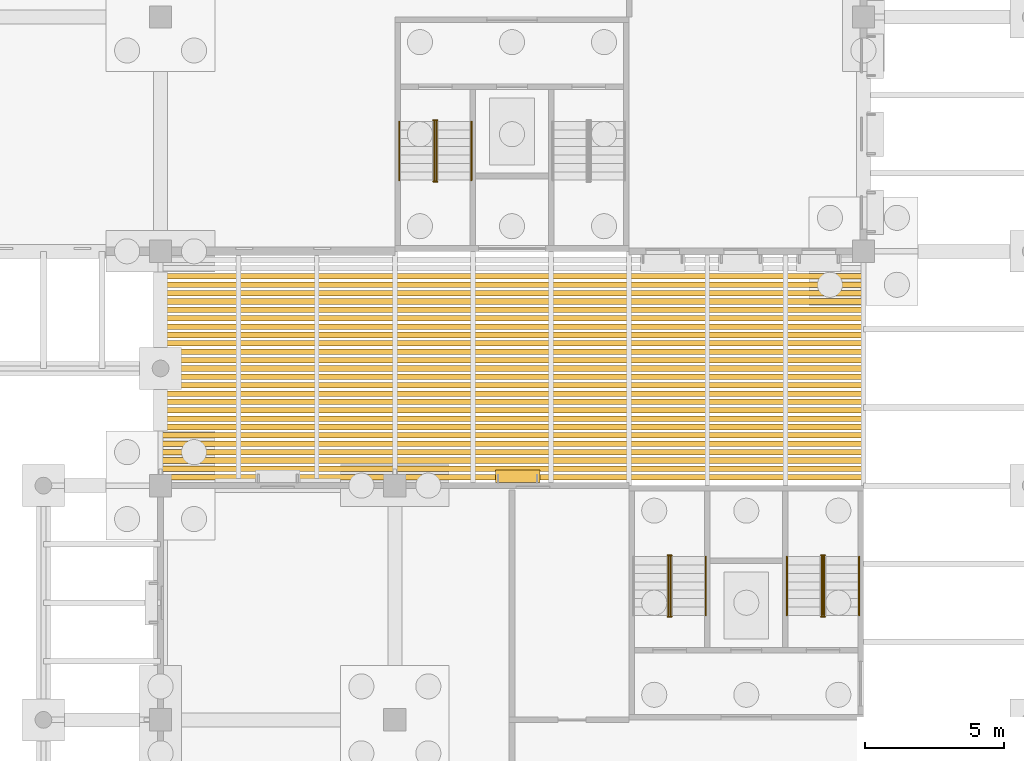
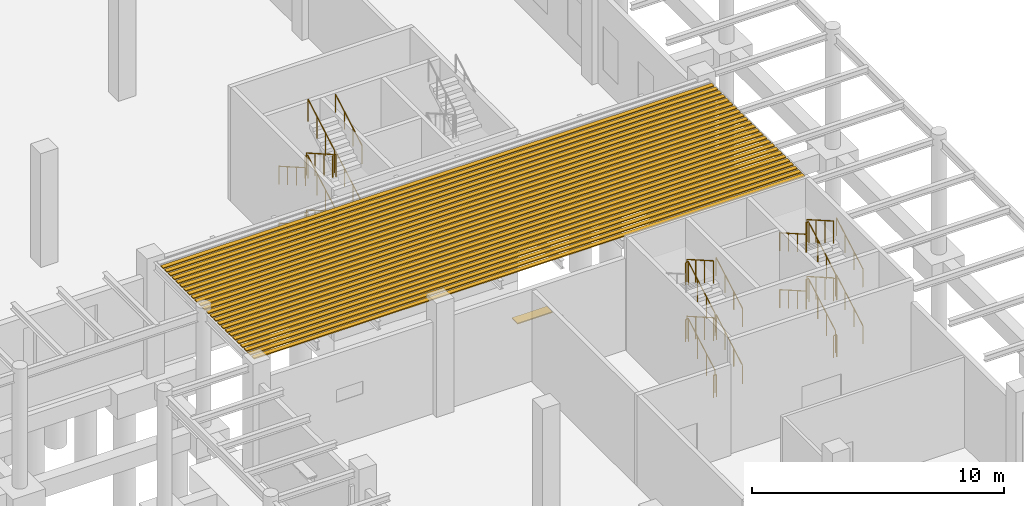
# One storey, part 77 of 82: 34 railings, 26 shading devices.
"""IFC4 building model written with IfcOpenShell, lengths in metres."""

from ifc_helpers import new_model, si_unit, direction, frame, origin, origin_2d, place, context, subcontext, project, spatial, rectangle, circle, extrude, material, material_profile, profile_set, type_object, element, save


model = new_model("IFC4")

# Units and contexts
model_context = context("Model", 3, precision=1e-05, world=origin(), true_north=direction((0.0, 1.0)))
body_context = subcontext(model_context, "Body", "Model", "MODEL_VIEW")
ifc_project = project(units=[si_unit("LENGTHUNIT", "METRE"), si_unit("AREAUNIT", "SQUARE_METRE"), si_unit("VOLUMEUNIT", "CUBIC_METRE"), si_unit("PLANEANGLEUNIT", "RADIAN"), si_unit("MASSUNIT", "GRAM", prefix="KILO")], contexts=[model_context])

# Site, building, storey
site_placement = place(None, origin())
site = spatial("IfcSite", under=ifc_project, at=site_placement, CompositionType="ELEMENT")
building_placement = place(site_placement, origin())
building = spatial("IfcBuilding", under=site, at=building_placement, Name="Almond Square Museum", CompositionType="ELEMENT")
storey_placement = place(building_placement, origin())
storey = spatial("IfcBuildingStorey", under=building, at=storey_placement, Name="L00", CompositionType="ELEMENT", Elevation=0.0)

# Shading devices
ifc_material_1 = material(Name="Anodised aluminium", Category="aluminium")
ifc_material_profile_1 = material_profile(ifc_material_1, rectangle(XDim=0.199951171875, YDim=0.050048828125, at=origin_2d()))
ifc_profile_set_1 = profile_set([ifc_material_profile_1], Name="Anodised aluminium")
shading_device_type_1 = type_object("IfcShadingDeviceType", Name="Canopy louvre blade 200 x 50", PredefinedType="USERDEFINED", material=ifc_profile_set_1)
for number, where, z_axis, x_axis, name in (
    (1, (132.0, 42.300048828125, 5.27490234375), (1.0, 0.0, 0.0), (0.0, 1.0, 0.0), "Passage canopy louvre 1"),
    (2, (132.0, 42.60009765625, 5.27490234375), (1.0, 0.0, 0.0), (0.0, 1.0, 0.0), "Passage canopy louvre 2"),
    (3, (132.0, 42.89990234375, 5.27490234375), (1.0, 0.0, 0.0), (0.0, 1.0, 0.0), "Passage canopy louvre 3"),
    (4, (132.0, 43.199951171875, 5.27490234375), (1.0, 0.0, 0.0), (0.0, 1.0, 0.0), "Passage canopy louvre 4"),
    (5, (132.0, 43.5, 5.27490234375), (1.0, 0.0, 0.0), (0.0, 1.0, 0.0), "Passage canopy louvre 5"),
    (6, (132.0, 43.800048828125, 5.27490234375), (1.0, 0.0, 0.0), (0.0, 1.0, 0.0), "Passage canopy louvre 6"),
    (7, (132.0, 44.10009765625, 5.27490234375), (1.0, 0.0, 0.0), (0.0, 1.0, 0.0), "Passage canopy louvre 7"),
    (8, (132.0, 44.39990234375, 5.27490234375), (1.0, 0.0, 0.0), (0.0, 1.0, 0.0), "Passage canopy louvre 8"),
    (9, (132.0, 44.699951171875, 5.27490234375), (1.0, 0.0, 0.0), (0.0, 1.0, 0.0), "Passage canopy louvre 9"),
    (10, (132.0, 45.0, 5.27490234375), (1.0, 0.0, 0.0), (0.0, 1.0, 0.0), "Passage canopy louvre 10"),
    (11, (132.0, 45.300048828125, 5.27490234375), (1.0, 0.0, 0.0), (0.0, 1.0, 0.0), "Passage canopy louvre 11"),
    (12, (132.0, 45.60009765625, 5.27490234375), (1.0, 0.0, 0.0), (0.0, 1.0, 0.0), "Passage canopy louvre 12"),
    (13, (132.0, 45.89990234375, 5.27490234375), (1.0, 0.0, 0.0), (0.0, 1.0, 0.0), "Passage canopy louvre 13"),
    (14, (132.0, 46.199951171875, 5.27490234375), (1.0, 0.0, 0.0), (0.0, 1.0, 0.0), "Passage canopy louvre 14"),
    (15, (132.0, 46.5, 5.27490234375), (1.0, 0.0, 0.0), (0.0, 1.0, 0.0), "Passage canopy louvre 15"),
    (16, (132.0, 46.800048828125, 5.27490234375), (1.0, 0.0, 0.0), (0.0, 1.0, 0.0), "Passage canopy louvre 16"),
    (17, (132.0, 47.10009765625, 5.27490234375), (1.0, 0.0, 0.0), (0.0, 1.0, 0.0), "Passage canopy louvre 17"),
    (18, (132.0, 47.39990234375, 5.27490234375), (1.0, 0.0, 0.0), (0.0, 1.0, 0.0), "Passage canopy louvre 18"),
    (19, (132.0, 47.699951171875, 5.27490234375), (1.0, 0.0, 0.0), (0.0, 1.0, 0.0), "Passage canopy louvre 19"),
    (20, (132.0, 48.0, 5.27490234375), (1.0, 0.0, 0.0), (0.0, 1.0, 0.0), "Passage canopy louvre 20"),
    (21, (132.0, 48.300048828125, 5.27490234375), (1.0, 0.0, 0.0), (0.0, 1.0, 0.0), "Passage canopy louvre 21"),
    (22, (132.0, 48.60009765625, 5.27490234375), (1.0, 0.0, 0.0), (0.0, 1.0, 0.0), "Passage canopy louvre 22"),
    (23, (132.0, 48.89990234375, 5.27490234375), (1.0, 0.0, 0.0), (0.0, 1.0, 0.0), "Passage canopy louvre 23"),
    (24, (132.0, 49.199951171875, 5.27490234375), (1.0, 0.0, 0.0), (0.0, 1.0, 0.0), "Passage canopy louvre 24"),
    (25, (132.0, 49.5, 5.27490234375), (1.0, 0.0, 0.0), (0.0, 1.0, 0.0), "Passage canopy louvre 25"),
):
    element("IfcShadingDevice", number, at=place(storey_placement, frame(where, z_axis=z_axis, x_axis=x_axis)), inside=storey, type_object=shading_device_type_1, Name=name, ObjectType="LOUVRE", PredefinedType="USERDEFINED", context=body_context, shape_type="SweptSolid", body=[
        extrude(rectangle(XDim=0.199951171875, YDim=0.050048828125, at=origin_2d()), origin(), (0.0, 0.0, 1.0), 25.199951171875),
    ])

# Railings
ifc_material_2 = material(Name="Stainless steel and laminated glass", Category="steel")
railing_type_1 = type_object("IfcRailingType", Name="Stair guard 1100 steel and glass", PredefinedType="GUARDRAIL", material=ifc_material_2)
railing_1_placement = place(storey_placement, frame((141.81005859375, 55.050048828125, 0.171875)))
element("IfcRailing", 26, at=railing_1_placement, inside=storey, type_object=railing_type_1, Name="L00 ST-03 stair guard 1", PredefinedType="GUARDRAIL", context=body_context, shape_type="SweptSolid", body=[
    extrude(circle(Radius=0.02392578125, at=origin_2d()), frame((0.0, 0.0, 1.076171875), z_axis=(0.0, -0.867696358075, 0.497094588769), x_axis=(1.0, 0.0, 0.0)), (0.0, 0.0, 1.0), 2.42041015625),
    extrude(circle(Radius=0.02099609375, at=origin_2d()), origin(), (0.0, 0.0, 1.0), 1.052001953125),
    extrude(circle(Radius=0.02099609375, at=origin_2d()), frame((0.0, -0.699951171875, 0.401123046875)), (0.0, 0.0, 1.0), 1.052001953125),
    extrude(circle(Radius=0.02099609375, at=origin_2d()), frame((0.0, -1.400146484375, 0.802001953125)), (0.0, 0.0, 1.0), 1.052001953125),
    extrude(circle(Radius=0.02099609375, at=origin_2d()), frame((0.0, -2.10009765625, 1.203125)), (0.0, 0.0, 1.0), 1.052001953125),
])
railing_2_placement = place(storey_placement, frame((141.780029296875, 52.89990234375, 1.375)))
element("IfcRailing", 27, at=railing_2_placement, inside=storey, type_object=railing_type_1, Name="L00 ST-03 stair guard 2", PredefinedType="GUARDRAIL", context=body_context, shape_type="SweptSolid", body=[
    extrude(circle(Radius=0.02392578125, at=origin_2d()), frame((0.0, 0.0, 1.076171875), z_axis=(1.0, 0.0, 0.0), x_axis=(0.0, 1.0, 0.0)), (0.0, 0.0, 1.0), 0.139892578125),
    extrude(circle(Radius=0.02099609375, at=origin_2d()), origin(), (0.0, 0.0, 1.0), 1.052001953125),
    extrude(circle(Radius=0.02099609375, at=origin_2d()), frame((0.139892578125, 0.0, 0.0)), (0.0, 0.0, 1.0), 1.052001953125),
])
railing_3_placement = place(storey_placement, frame((141.889892578125, 52.949951171875, 1.546875)))
element("IfcRailing", 28, at=railing_3_placement, inside=storey, type_object=railing_type_1, Name="L00 ST-03 stair guard 3", PredefinedType="GUARDRAIL", context=body_context, shape_type="SweptSolid", body=[
    extrude(circle(Radius=0.02392578125, at=origin_2d()), frame((0.0, 0.0, 1.076171875), z_axis=(0.0, 0.867696358075, 0.497094588769), x_axis=(-1.0, 0.0, 0.0)), (0.0, 0.0, 1.0), 2.42041015625),
    extrude(circle(Radius=0.02099609375, at=origin_2d()), origin(), (0.0, 0.0, 1.0), 1.052001953125),
    extrude(circle(Radius=0.02099609375, at=origin_2d()), frame((0.0, 0.699951171875, 0.401123046875)), (0.0, 0.0, 1.0), 1.052001953125),
    extrude(circle(Radius=0.02099609375, at=origin_2d()), frame((0.0, 1.400146484375, 0.802001953125)), (0.0, 0.0, 1.0), 1.052001953125),
    extrude(circle(Radius=0.02099609375, at=origin_2d()), frame((0.0, 2.10009765625, 1.203125)), (0.0, 0.0, 1.0), 1.052001953125),
])
railing_4_placement = place(storey_placement, frame((141.780029296875, 55.10009765625, 2.75)))
element("IfcRailing", 29, at=railing_4_placement, inside=storey, type_object=railing_type_1, Name="L00 ST-03 stair guard 4", PredefinedType="GUARDRAIL", context=body_context, shape_type="SweptSolid", body=[
    extrude(circle(Radius=0.02392578125, at=origin_2d()), frame((0.0, 0.0, 1.076171875), z_axis=(1.0, 0.0, 0.0), x_axis=(0.0, 1.0, 0.0)), (0.0, 0.0, 1.0), 0.139892578125),
    extrude(circle(Radius=0.02099609375, at=origin_2d()), origin(), (0.0, 0.0, 1.0), 1.052001953125),
    extrude(circle(Radius=0.02099609375, at=origin_2d()), frame((0.139892578125, 0.0, 0.0)), (0.0, 0.0, 1.0), 1.052001953125),
])
railing_5_placement = place(storey_placement, frame((141.81005859375, 55.050048828125, 2.921875)))
element("IfcRailing", 30, at=railing_5_placement, inside=storey, type_object=railing_type_1, Name="L00 ST-03 stair guard 5", PredefinedType="GUARDRAIL", context=body_context, shape_type="SweptSolid", body=[
    extrude(circle(Radius=0.02392578125, at=origin_2d()), frame((0.0, 0.0, 1.076171875), z_axis=(0.0, -0.867696358075, 0.497094588769), x_axis=(1.0, 0.0, 0.0)), (0.0, 0.0, 1.0), 2.42041015625),
    extrude(circle(Radius=0.02099609375, at=origin_2d()), origin(), (0.0, 0.0, 1.0), 1.052001953125),
    extrude(circle(Radius=0.02099609375, at=origin_2d()), frame((0.0, -0.699951171875, 0.401123046875)), (0.0, 0.0, 1.0), 1.052001953125),
    extrude(circle(Radius=0.02099609375, at=origin_2d()), frame((0.0, -1.400146484375, 0.802001953125)), (0.0, 0.0, 1.0), 1.052001953125),
    extrude(circle(Radius=0.02099609375, at=origin_2d()), frame((0.0, -2.10009765625, 1.203125)), (0.0, 0.0, 1.0), 1.052001953125),
])
railing_6_placement = place(storey_placement, frame((141.780029296875, 52.89990234375, 4.125)))
element("IfcRailing", 31, at=railing_6_placement, inside=storey, type_object=railing_type_1, Name="L00 ST-03 stair guard 6", PredefinedType="GUARDRAIL", context=body_context, shape_type="SweptSolid", body=[
    extrude(circle(Radius=0.02392578125, at=origin_2d()), frame((0.0, 0.0, 1.076171875), z_axis=(1.0, 0.0, 0.0), x_axis=(0.0, 1.0, 0.0)), (0.0, 0.0, 1.0), 0.139892578125),
    extrude(circle(Radius=0.02099609375, at=origin_2d()), origin(), (0.0, 0.0, 1.0), 1.052001953125),
    extrude(circle(Radius=0.02099609375, at=origin_2d()), frame((0.139892578125, 0.0, 0.0)), (0.0, 0.0, 1.0), 1.052001953125),
])
railing_7_placement = place(storey_placement, frame((141.889892578125, 52.949951171875, 4.296875)))
element("IfcRailing", 32, at=railing_7_placement, inside=storey, type_object=railing_type_1, Name="L00 ST-03 stair guard 7", PredefinedType="GUARDRAIL", context=body_context, shape_type="SweptSolid", body=[
    extrude(circle(Radius=0.02392578125, at=origin_2d()), frame((0.0, 0.0, 1.076171875), z_axis=(0.0, 0.867696358075, 0.497094588769), x_axis=(-1.0, 0.0, 0.0)), (0.0, 0.0, 1.0), 2.42041015625),
    extrude(circle(Radius=0.02099609375, at=origin_2d()), origin(), (0.0, 0.0, 1.0), 1.052001953125),
    extrude(circle(Radius=0.02099609375, at=origin_2d()), frame((0.0, 0.699951171875, 0.401123046875)), (0.0, 0.0, 1.0), 1.052001953125),
    extrude(circle(Radius=0.02099609375, at=origin_2d()), frame((0.0, 1.400146484375, 0.802001953125)), (0.0, 0.0, 1.0), 1.052001953125),
    extrude(circle(Radius=0.02099609375, at=origin_2d()), frame((0.0, 2.10009765625, 1.203125)), (0.0, 0.0, 1.0), 1.052001953125),
])
railing_8_placement = place(storey_placement, frame((141.780029296875, 55.10009765625, 0.0)))
element("IfcRailing", 33, at=railing_8_placement, inside=storey, type_object=railing_type_1, Name="L00 ST-03 stair guard 8", PredefinedType="GUARDRAIL", context=body_context, shape_type="SweptSolid", body=[
    extrude(circle(Radius=0.02392578125, at=origin_2d()), frame((0.0, 0.0, 1.076171875), z_axis=(1.0, 0.0, 0.0), x_axis=(0.0, 1.0, 0.0)), (0.0, 0.0, 1.0), 0.139892578125),
    extrude(circle(Radius=0.02099609375, at=origin_2d()), origin(), (0.0, 0.0, 1.0), 1.052001953125),
    extrude(circle(Radius=0.02099609375, at=origin_2d()), frame((0.139892578125, 0.0, 0.0)), (0.0, 0.0, 1.0), 1.052001953125),
])
railing_9_placement = place(storey_placement, frame((150.2900390625, 37.35009765625, 0.171875)))
element("IfcRailing", 34, at=railing_9_placement, inside=storey, type_object=railing_type_1, Name="L00 ST-33 stair guard 1", PredefinedType="GUARDRAIL", context=body_context, shape_type="SweptSolid", body=[
    extrude(circle(Radius=0.02392578125, at=origin_2d()), frame((0.0, 0.0, 1.076171875), z_axis=(0.0, 0.867671429157, 0.497138100556), x_axis=(-1.0, 0.0, 0.0)), (0.0, 0.0, 1.0), 2.420166015625),
    extrude(circle(Radius=0.02099609375, at=origin_2d()), origin(), (0.0, 0.0, 1.0), 1.052001953125),
    extrude(circle(Radius=0.02099609375, at=origin_2d()), frame((0.0, 0.699951171875, 0.401123046875)), (0.0, 0.0, 1.0), 1.052001953125),
    extrude(circle(Radius=0.02099609375, at=origin_2d()), frame((0.0, 1.39990234375, 0.802001953125)), (0.0, 0.0, 1.0), 1.052001953125),
    extrude(circle(Radius=0.02099609375, at=origin_2d()), frame((0.0, 2.099853515625, 1.203125)), (0.0, 0.0, 1.0), 1.052001953125),
])
railing_10_placement = place(storey_placement, frame((150.320068359375, 39.5, 1.375)))
element("IfcRailing", 35, at=railing_10_placement, inside=storey, type_object=railing_type_1, Name="L00 ST-33 stair guard 2", PredefinedType="GUARDRAIL", context=body_context, shape_type="SweptSolid", body=[
    extrude(circle(Radius=0.02392578125, at=origin_2d()), frame((0.0, 0.0, 1.076171875), z_axis=(-1.0, 0.0, 0.0), x_axis=(0.0, -1.0, 0.0)), (0.0, 0.0, 1.0), 0.14013671875),
    extrude(circle(Radius=0.02099609375, at=origin_2d()), origin(), (0.0, 0.0, 1.0), 1.052001953125),
    extrude(circle(Radius=0.02099609375, at=origin_2d()), frame((-0.14013671875, 0.0, 0.0)), (0.0, 0.0, 1.0), 1.052001953125),
])
railing_11_placement = place(storey_placement, frame((150.2099609375, 39.449951171875, 1.546875)))
element("IfcRailing", 36, at=railing_11_placement, inside=storey, type_object=railing_type_1, Name="L00 ST-33 stair guard 3", PredefinedType="GUARDRAIL", context=body_context, shape_type="SweptSolid", body=[
    extrude(circle(Radius=0.02392578125, at=origin_2d()), frame((0.0, 0.0, 1.076171875), z_axis=(0.0, -0.867671429157, 0.497138100556), x_axis=(1.0, 0.0, 0.0)), (0.0, 0.0, 1.0), 2.420166015625),
    extrude(circle(Radius=0.02099609375, at=origin_2d()), origin(), (0.0, 0.0, 1.0), 1.052001953125),
    extrude(circle(Radius=0.02099609375, at=origin_2d()), frame((0.0, -0.699951171875, 0.401123046875)), (0.0, 0.0, 1.0), 1.052001953125),
    extrude(circle(Radius=0.02099609375, at=origin_2d()), frame((0.0, -1.39990234375, 0.802001953125)), (0.0, 0.0, 1.0), 1.052001953125),
    extrude(circle(Radius=0.02099609375, at=origin_2d()), frame((0.0, -2.099853515625, 1.203125)), (0.0, 0.0, 1.0), 1.052001953125),
])
railing_12_placement = place(storey_placement, frame((150.320068359375, 37.300048828125, 2.75)))
element("IfcRailing", 37, at=railing_12_placement, inside=storey, type_object=railing_type_1, Name="L00 ST-33 stair guard 4", PredefinedType="GUARDRAIL", context=body_context, shape_type="SweptSolid", body=[
    extrude(circle(Radius=0.02392578125, at=origin_2d()), frame((0.0, 0.0, 1.076171875), z_axis=(-1.0, 0.0, 0.0), x_axis=(0.0, -1.0, 0.0)), (0.0, 0.0, 1.0), 0.14013671875),
    extrude(circle(Radius=0.02099609375, at=origin_2d()), origin(), (0.0, 0.0, 1.0), 1.052001953125),
    extrude(circle(Radius=0.02099609375, at=origin_2d()), frame((-0.14013671875, 0.0, 0.0)), (0.0, 0.0, 1.0), 1.052001953125),
])
railing_13_placement = place(storey_placement, frame((150.2900390625, 37.35009765625, 2.921875)))
element("IfcRailing", 38, at=railing_13_placement, inside=storey, type_object=railing_type_1, Name="L00 ST-33 stair guard 5", PredefinedType="GUARDRAIL", context=body_context, shape_type="SweptSolid", body=[
    extrude(circle(Radius=0.02392578125, at=origin_2d()), frame((0.0, 0.0, 1.076171875), z_axis=(0.0, 0.867671429157, 0.497138100556), x_axis=(-1.0, 0.0, 0.0)), (0.0, 0.0, 1.0), 2.420166015625),
    extrude(circle(Radius=0.02099609375, at=origin_2d()), origin(), (0.0, 0.0, 1.0), 1.052001953125),
    extrude(circle(Radius=0.02099609375, at=origin_2d()), frame((0.0, 0.699951171875, 0.401123046875)), (0.0, 0.0, 1.0), 1.052001953125),
    extrude(circle(Radius=0.02099609375, at=origin_2d()), frame((0.0, 1.39990234375, 0.802001953125)), (0.0, 0.0, 1.0), 1.052001953125),
    extrude(circle(Radius=0.02099609375, at=origin_2d()), frame((0.0, 2.099853515625, 1.203125)), (0.0, 0.0, 1.0), 1.052001953125),
])
railing_14_placement = place(storey_placement, frame((150.320068359375, 39.5, 4.125)))
element("IfcRailing", 39, at=railing_14_placement, inside=storey, type_object=railing_type_1, Name="L00 ST-33 stair guard 6", PredefinedType="GUARDRAIL", context=body_context, shape_type="SweptSolid", body=[
    extrude(circle(Radius=0.02392578125, at=origin_2d()), frame((0.0, 0.0, 1.076171875), z_axis=(-1.0, 0.0, 0.0), x_axis=(0.0, -1.0, 0.0)), (0.0, 0.0, 1.0), 0.14013671875),
    extrude(circle(Radius=0.02099609375, at=origin_2d()), origin(), (0.0, 0.0, 1.0), 1.052001953125),
    extrude(circle(Radius=0.02099609375, at=origin_2d()), frame((-0.14013671875, 0.0, 0.0)), (0.0, 0.0, 1.0), 1.052001953125),
])
railing_15_placement = place(storey_placement, frame((150.2099609375, 39.449951171875, 4.296875)))
element("IfcRailing", 40, at=railing_15_placement, inside=storey, type_object=railing_type_1, Name="L00 ST-33 stair guard 7", PredefinedType="GUARDRAIL", context=body_context, shape_type="SweptSolid", body=[
    extrude(circle(Radius=0.02392578125, at=origin_2d()), frame((0.0, 0.0, 1.076171875), z_axis=(0.0, -0.867671429157, 0.497138100556), x_axis=(1.0, 0.0, 0.0)), (0.0, 0.0, 1.0), 2.420166015625),
    extrude(circle(Radius=0.02099609375, at=origin_2d()), origin(), (0.0, 0.0, 1.0), 1.052001953125),
    extrude(circle(Radius=0.02099609375, at=origin_2d()), frame((0.0, -0.699951171875, 0.401123046875)), (0.0, 0.0, 1.0), 1.052001953125),
    extrude(circle(Radius=0.02099609375, at=origin_2d()), frame((0.0, -1.39990234375, 0.802001953125)), (0.0, 0.0, 1.0), 1.052001953125),
    extrude(circle(Radius=0.02099609375, at=origin_2d()), frame((0.0, -2.099853515625, 1.203125)), (0.0, 0.0, 1.0), 1.052001953125),
])
railing_16_placement = place(storey_placement, frame((150.320068359375, 37.300048828125, 0.0)))
element("IfcRailing", 41, at=railing_16_placement, inside=storey, type_object=railing_type_1, Name="L00 ST-33 stair guard 8", PredefinedType="GUARDRAIL", context=body_context, shape_type="SweptSolid", body=[
    extrude(circle(Radius=0.02392578125, at=origin_2d()), frame((0.0, 0.0, 1.076171875), z_axis=(-1.0, 0.0, 0.0), x_axis=(0.0, -1.0, 0.0)), (0.0, 0.0, 1.0), 0.14013671875),
    extrude(circle(Radius=0.02099609375, at=origin_2d()), origin(), (0.0, 0.0, 1.0), 1.052001953125),
    extrude(circle(Radius=0.02099609375, at=origin_2d()), frame((-0.14013671875, 0.0, 0.0)), (0.0, 0.0, 1.0), 1.052001953125),
])
railing_17_placement = place(storey_placement, frame((155.7900390625, 37.35009765625, 0.171875)))
element("IfcRailing", 42, at=railing_17_placement, inside=storey, type_object=railing_type_1, Name="L00 ST-34 stair guard 1", PredefinedType="GUARDRAIL", context=body_context, shape_type="SweptSolid", body=[
    extrude(circle(Radius=0.02392578125, at=origin_2d()), frame((0.0, 0.0, 1.076171875), z_axis=(0.0, 0.867671429157, 0.497138100556), x_axis=(-1.0, 0.0, 0.0)), (0.0, 0.0, 1.0), 2.420166015625),
    extrude(circle(Radius=0.02099609375, at=origin_2d()), origin(), (0.0, 0.0, 1.0), 1.052001953125),
    extrude(circle(Radius=0.02099609375, at=origin_2d()), frame((0.0, 0.699951171875, 0.401123046875)), (0.0, 0.0, 1.0), 1.052001953125),
    extrude(circle(Radius=0.02099609375, at=origin_2d()), frame((0.0, 1.39990234375, 0.802001953125)), (0.0, 0.0, 1.0), 1.052001953125),
    extrude(circle(Radius=0.02099609375, at=origin_2d()), frame((0.0, 2.099853515625, 1.203125)), (0.0, 0.0, 1.0), 1.052001953125),
])
railing_18_placement = place(storey_placement, frame((155.820068359375, 39.5, 1.375)))
element("IfcRailing", 43, at=railing_18_placement, inside=storey, type_object=railing_type_1, Name="L00 ST-34 stair guard 2", PredefinedType="GUARDRAIL", context=body_context, shape_type="SweptSolid", body=[
    extrude(circle(Radius=0.02392578125, at=origin_2d()), frame((0.0, 0.0, 1.076171875), z_axis=(-1.0, 0.0, 0.0), x_axis=(0.0, -1.0, 0.0)), (0.0, 0.0, 1.0), 0.14013671875),
    extrude(circle(Radius=0.02099609375, at=origin_2d()), origin(), (0.0, 0.0, 1.0), 1.052001953125),
    extrude(circle(Radius=0.02099609375, at=origin_2d()), frame((-0.14013671875, 0.0, 0.0)), (0.0, 0.0, 1.0), 1.052001953125),
])
railing_19_placement = place(storey_placement, frame((155.7099609375, 39.449951171875, 1.546875)))
element("IfcRailing", 44, at=railing_19_placement, inside=storey, type_object=railing_type_1, Name="L00 ST-34 stair guard 3", PredefinedType="GUARDRAIL", context=body_context, shape_type="SweptSolid", body=[
    extrude(circle(Radius=0.02392578125, at=origin_2d()), frame((0.0, 0.0, 1.076171875), z_axis=(0.0, -0.867671429157, 0.497138100556), x_axis=(1.0, 0.0, 0.0)), (0.0, 0.0, 1.0), 2.420166015625),
    extrude(circle(Radius=0.02099609375, at=origin_2d()), origin(), (0.0, 0.0, 1.0), 1.052001953125),
    extrude(circle(Radius=0.02099609375, at=origin_2d()), frame((0.0, -0.699951171875, 0.401123046875)), (0.0, 0.0, 1.0), 1.052001953125),
    extrude(circle(Radius=0.02099609375, at=origin_2d()), frame((0.0, -1.39990234375, 0.802001953125)), (0.0, 0.0, 1.0), 1.052001953125),
    extrude(circle(Radius=0.02099609375, at=origin_2d()), frame((0.0, -2.099853515625, 1.203125)), (0.0, 0.0, 1.0), 1.052001953125),
])
railing_20_placement = place(storey_placement, frame((155.820068359375, 37.300048828125, 2.75)))
element("IfcRailing", 45, at=railing_20_placement, inside=storey, type_object=railing_type_1, Name="L00 ST-34 stair guard 4", PredefinedType="GUARDRAIL", context=body_context, shape_type="SweptSolid", body=[
    extrude(circle(Radius=0.02392578125, at=origin_2d()), frame((0.0, 0.0, 1.076171875), z_axis=(-1.0, 0.0, 0.0), x_axis=(0.0, -1.0, 0.0)), (0.0, 0.0, 1.0), 0.14013671875),
    extrude(circle(Radius=0.02099609375, at=origin_2d()), origin(), (0.0, 0.0, 1.0), 1.052001953125),
    extrude(circle(Radius=0.02099609375, at=origin_2d()), frame((-0.14013671875, 0.0, 0.0)), (0.0, 0.0, 1.0), 1.052001953125),
])
railing_21_placement = place(storey_placement, frame((155.7900390625, 37.35009765625, 2.921875)))
element("IfcRailing", 46, at=railing_21_placement, inside=storey, type_object=railing_type_1, Name="L00 ST-34 stair guard 5", PredefinedType="GUARDRAIL", context=body_context, shape_type="SweptSolid", body=[
    extrude(circle(Radius=0.02392578125, at=origin_2d()), frame((0.0, 0.0, 1.076171875), z_axis=(0.0, 0.867671429157, 0.497138100556), x_axis=(-1.0, 0.0, 0.0)), (0.0, 0.0, 1.0), 2.420166015625),
    extrude(circle(Radius=0.02099609375, at=origin_2d()), origin(), (0.0, 0.0, 1.0), 1.052001953125),
    extrude(circle(Radius=0.02099609375, at=origin_2d()), frame((0.0, 0.699951171875, 0.401123046875)), (0.0, 0.0, 1.0), 1.052001953125),
    extrude(circle(Radius=0.02099609375, at=origin_2d()), frame((0.0, 1.39990234375, 0.802001953125)), (0.0, 0.0, 1.0), 1.052001953125),
    extrude(circle(Radius=0.02099609375, at=origin_2d()), frame((0.0, 2.099853515625, 1.203125)), (0.0, 0.0, 1.0), 1.052001953125),
])
railing_22_placement = place(storey_placement, frame((155.820068359375, 39.5, 4.125)))
element("IfcRailing", 47, at=railing_22_placement, inside=storey, type_object=railing_type_1, Name="L00 ST-34 stair guard 6", PredefinedType="GUARDRAIL", context=body_context, shape_type="SweptSolid", body=[
    extrude(circle(Radius=0.02392578125, at=origin_2d()), frame((0.0, 0.0, 1.076171875), z_axis=(-1.0, 0.0, 0.0), x_axis=(0.0, -1.0, 0.0)), (0.0, 0.0, 1.0), 0.14013671875),
    extrude(circle(Radius=0.02099609375, at=origin_2d()), origin(), (0.0, 0.0, 1.0), 1.052001953125),
    extrude(circle(Radius=0.02099609375, at=origin_2d()), frame((-0.14013671875, 0.0, 0.0)), (0.0, 0.0, 1.0), 1.052001953125),
])
railing_23_placement = place(storey_placement, frame((155.7099609375, 39.449951171875, 4.296875)))
element("IfcRailing", 48, at=railing_23_placement, inside=storey, type_object=railing_type_1, Name="L00 ST-34 stair guard 7", PredefinedType="GUARDRAIL", context=body_context, shape_type="SweptSolid", body=[
    extrude(circle(Radius=0.02392578125, at=origin_2d()), frame((0.0, 0.0, 1.076171875), z_axis=(0.0, -0.867671429157, 0.497138100556), x_axis=(1.0, 0.0, 0.0)), (0.0, 0.0, 1.0), 2.420166015625),
    extrude(circle(Radius=0.02099609375, at=origin_2d()), origin(), (0.0, 0.0, 1.0), 1.052001953125),
    extrude(circle(Radius=0.02099609375, at=origin_2d()), frame((0.0, -0.699951171875, 0.401123046875)), (0.0, 0.0, 1.0), 1.052001953125),
    extrude(circle(Radius=0.02099609375, at=origin_2d()), frame((0.0, -1.39990234375, 0.802001953125)), (0.0, 0.0, 1.0), 1.052001953125),
    extrude(circle(Radius=0.02099609375, at=origin_2d()), frame((0.0, -2.099853515625, 1.203125)), (0.0, 0.0, 1.0), 1.052001953125),
])
railing_24_placement = place(storey_placement, frame((155.820068359375, 37.300048828125, 0.0)))
element("IfcRailing", 49, at=railing_24_placement, inside=storey, type_object=railing_type_1, Name="L00 ST-34 stair guard 8", PredefinedType="GUARDRAIL", context=body_context, shape_type="SweptSolid", body=[
    extrude(circle(Radius=0.02392578125, at=origin_2d()), frame((0.0, 0.0, 1.076171875), z_axis=(-1.0, 0.0, 0.0), x_axis=(0.0, -1.0, 0.0)), (0.0, 0.0, 1.0), 0.14013671875),
    extrude(circle(Radius=0.02099609375, at=origin_2d()), origin(), (0.0, 0.0, 1.0), 1.052001953125),
    extrude(circle(Radius=0.02099609375, at=origin_2d()), frame((-0.14013671875, 0.0, 0.0)), (0.0, 0.0, 1.0), 1.052001953125),
])
ifc_material_3 = material(Name="Stainless steel", Category="steel")
railing_type_2 = type_object("IfcRailingType", Name="Stair handrail 900 steel", PredefinedType="HANDRAIL", material=ifc_material_3)
railing_25_placement = place(storey_placement, frame((140.554931640625, 55.050048828125, 0.171875)))
element("IfcRailing", 50, at=railing_25_placement, inside=storey, type_object=railing_type_2, Name="L00 ST-03 stair handrail 1", PredefinedType="HANDRAIL", context=body_context, shape_type="SweptSolid", body=[
    extrude(circle(Radius=0.02392578125, at=origin_2d()), frame((0.0, 0.0, 0.8759765625), z_axis=(0.0, -0.867696358075, 0.497094588769), x_axis=(1.0, 0.0, 0.0)), (0.0, 0.0, 1.0), 2.42041015625),
    extrude(circle(Radius=0.02099609375, at=origin_2d()), origin(), (0.0, 0.0, 1.0), 0.851806640625),
    extrude(circle(Radius=0.02099609375, at=origin_2d()), frame((0.0, -0.699951171875, 0.401123046875)), (0.0, 0.0, 1.0), 0.851806640625),
    extrude(circle(Radius=0.02099609375, at=origin_2d()), frame((0.0, -1.400146484375, 0.802001953125)), (0.0, 0.0, 1.0), 0.851806640625),
    extrude(circle(Radius=0.02099609375, at=origin_2d()), frame((0.0, -2.10009765625, 1.203125)), (0.0, 0.0, 1.0), 0.851806640625),
])
railing_26_placement = place(storey_placement, frame((143.14501953125, 52.949951171875, 1.546875)))
element("IfcRailing", 51, at=railing_26_placement, inside=storey, type_object=railing_type_2, Name="L00 ST-03 stair handrail 2", PredefinedType="HANDRAIL", context=body_context, shape_type="SweptSolid", body=[
    extrude(circle(Radius=0.02392578125, at=origin_2d()), frame((0.0, 0.0, 0.8759765625), z_axis=(0.0, 0.867696358075, 0.497094588769), x_axis=(-1.0, 0.0, 0.0)), (0.0, 0.0, 1.0), 2.42041015625),
    extrude(circle(Radius=0.02099609375, at=origin_2d()), origin(), (0.0, 0.0, 1.0), 0.851806640625),
    extrude(circle(Radius=0.02099609375, at=origin_2d()), frame((0.0, 0.699951171875, 0.401123046875)), (0.0, 0.0, 1.0), 0.851806640625),
    extrude(circle(Radius=0.02099609375, at=origin_2d()), frame((0.0, 1.400146484375, 0.802001953125)), (0.0, 0.0, 1.0), 0.851806640625),
    extrude(circle(Radius=0.02099609375, at=origin_2d()), frame((0.0, 2.10009765625, 1.203125)), (0.0, 0.0, 1.0), 0.851806640625),
])
railing_27_placement = place(storey_placement, frame((140.554931640625, 55.050048828125, 2.921875)))
element("IfcRailing", 52, at=railing_27_placement, inside=storey, type_object=railing_type_2, Name="L00 ST-03 stair handrail 3", PredefinedType="HANDRAIL", context=body_context, shape_type="SweptSolid", body=[
    extrude(circle(Radius=0.02392578125, at=origin_2d()), frame((0.0, 0.0, 0.8759765625), z_axis=(0.0, -0.867696358075, 0.497094588769), x_axis=(1.0, 0.0, 0.0)), (0.0, 0.0, 1.0), 2.42041015625),
    extrude(circle(Radius=0.02099609375, at=origin_2d()), origin(), (0.0, 0.0, 1.0), 0.851806640625),
    extrude(circle(Radius=0.02099609375, at=origin_2d()), frame((0.0, -0.699951171875, 0.401123046875)), (0.0, 0.0, 1.0), 0.851806640625),
    extrude(circle(Radius=0.02099609375, at=origin_2d()), frame((0.0, -1.400146484375, 0.802001953125)), (0.0, 0.0, 1.0), 0.851806640625),
    extrude(circle(Radius=0.02099609375, at=origin_2d()), frame((0.0, -2.10009765625, 1.203125)), (0.0, 0.0, 1.0), 0.851806640625),
])
railing_28_placement = place(storey_placement, frame((143.14501953125, 52.949951171875, 4.296875)))
element("IfcRailing", 53, at=railing_28_placement, inside=storey, type_object=railing_type_2, Name="L00 ST-03 stair handrail 4", PredefinedType="HANDRAIL", context=body_context, shape_type="SweptSolid", body=[
    extrude(circle(Radius=0.02392578125, at=origin_2d()), frame((0.0, 0.0, 0.8759765625), z_axis=(0.0, 0.867696358075, 0.497094588769), x_axis=(-1.0, 0.0, 0.0)), (0.0, 0.0, 1.0), 2.42041015625),
    extrude(circle(Radius=0.02099609375, at=origin_2d()), origin(), (0.0, 0.0, 1.0), 0.851806640625),
    extrude(circle(Radius=0.02099609375, at=origin_2d()), frame((0.0, 0.699951171875, 0.401123046875)), (0.0, 0.0, 1.0), 0.851806640625),
    extrude(circle(Radius=0.02099609375, at=origin_2d()), frame((0.0, 1.400146484375, 0.802001953125)), (0.0, 0.0, 1.0), 0.851806640625),
    extrude(circle(Radius=0.02099609375, at=origin_2d()), frame((0.0, 2.10009765625, 1.203125)), (0.0, 0.0, 1.0), 0.851806640625),
])
for number, where, name in (
    (54, (151.544921875, 37.35009765625, 0.171875), "L00 ST-33 stair handrail 1"),
    (55, (151.544921875, 37.35009765625, 2.921875), "L00 ST-33 stair handrail 3"),
    (56, (157.044921875, 37.35009765625, 0.171875), "L00 ST-34 stair handrail 1"),
):
    element("IfcRailing", number, at=place(storey_placement, frame(where)), inside=storey, type_object=railing_type_2, Name=name, PredefinedType="HANDRAIL", context=body_context, shape_type="SweptSolid", body=[
        extrude(circle(Radius=0.02392578125, at=origin_2d()), frame((0.0, 0.0, 0.8759765625), z_axis=(0.0, 0.867671429157, 0.497138100556), x_axis=(-1.0, 0.0, 0.0)), (0.0, 0.0, 1.0), 2.420166015625),
        extrude(circle(Radius=0.02099609375, at=origin_2d()), origin(), (0.0, 0.0, 1.0), 0.851806640625),
        extrude(circle(Radius=0.02099609375, at=origin_2d()), frame((0.0, 0.699951171875, 0.401123046875)), (0.0, 0.0, 1.0), 0.851806640625),
        extrude(circle(Radius=0.02099609375, at=origin_2d()), frame((0.0, 1.39990234375, 0.802001953125)), (0.0, 0.0, 1.0), 0.851806640625),
        extrude(circle(Radius=0.02099609375, at=origin_2d()), frame((0.0, 2.099853515625, 1.203125)), (0.0, 0.0, 1.0), 0.851806640625),
    ])
railing_29_placement = place(storey_placement, frame((154.455078125, 39.449951171875, 1.546875)))
element("IfcRailing", 57, at=railing_29_placement, inside=storey, type_object=railing_type_2, Name="L00 ST-34 stair handrail 2", PredefinedType="HANDRAIL", context=body_context, shape_type="SweptSolid", body=[
    extrude(circle(Radius=0.02392578125, at=origin_2d()), frame((0.0, 0.0, 0.8759765625), z_axis=(0.0, -0.867671429157, 0.497138100556), x_axis=(1.0, 0.0, 0.0)), (0.0, 0.0, 1.0), 2.420166015625),
    extrude(circle(Radius=0.02099609375, at=origin_2d()), origin(), (0.0, 0.0, 1.0), 0.851806640625),
    extrude(circle(Radius=0.02099609375, at=origin_2d()), frame((0.0, -0.699951171875, 0.401123046875)), (0.0, 0.0, 1.0), 0.851806640625),
    extrude(circle(Radius=0.02099609375, at=origin_2d()), frame((0.0, -1.39990234375, 0.802001953125)), (0.0, 0.0, 1.0), 0.851806640625),
    extrude(circle(Radius=0.02099609375, at=origin_2d()), frame((0.0, -2.099853515625, 1.203125)), (0.0, 0.0, 1.0), 0.851806640625),
])
railing_30_placement = place(storey_placement, frame((157.044921875, 37.35009765625, 2.921875)))
element("IfcRailing", 58, at=railing_30_placement, inside=storey, type_object=railing_type_2, Name="L00 ST-34 stair handrail 3", PredefinedType="HANDRAIL", context=body_context, shape_type="SweptSolid", body=[
    extrude(circle(Radius=0.02392578125, at=origin_2d()), frame((0.0, 0.0, 0.8759765625), z_axis=(0.0, 0.867671429157, 0.497138100556), x_axis=(-1.0, 0.0, 0.0)), (0.0, 0.0, 1.0), 2.420166015625),
    extrude(circle(Radius=0.02099609375, at=origin_2d()), origin(), (0.0, 0.0, 1.0), 0.851806640625),
    extrude(circle(Radius=0.02099609375, at=origin_2d()), frame((0.0, 0.699951171875, 0.401123046875)), (0.0, 0.0, 1.0), 0.851806640625),
    extrude(circle(Radius=0.02099609375, at=origin_2d()), frame((0.0, 1.39990234375, 0.802001953125)), (0.0, 0.0, 1.0), 0.851806640625),
    extrude(circle(Radius=0.02099609375, at=origin_2d()), frame((0.0, 2.099853515625, 1.203125)), (0.0, 0.0, 1.0), 0.851806640625),
])
railing_31_placement = place(storey_placement, frame((154.455078125, 39.449951171875, 4.296875)))
element("IfcRailing", 59, at=railing_31_placement, inside=storey, type_object=railing_type_2, Name="L00 ST-34 stair handrail 4", PredefinedType="HANDRAIL", context=body_context, shape_type="SweptSolid", body=[
    extrude(circle(Radius=0.02392578125, at=origin_2d()), frame((0.0, 0.0, 0.8759765625), z_axis=(0.0, -0.867671429157, 0.497138100556), x_axis=(1.0, 0.0, 0.0)), (0.0, 0.0, 1.0), 2.420166015625),
    extrude(circle(Radius=0.02099609375, at=origin_2d()), origin(), (0.0, 0.0, 1.0), 0.851806640625),
    extrude(circle(Radius=0.02099609375, at=origin_2d()), frame((0.0, -0.699951171875, 0.401123046875)), (0.0, 0.0, 1.0), 0.851806640625),
    extrude(circle(Radius=0.02099609375, at=origin_2d()), frame((0.0, -1.39990234375, 0.802001953125)), (0.0, 0.0, 1.0), 0.851806640625),
    extrude(circle(Radius=0.02099609375, at=origin_2d()), frame((0.0, -2.099853515625, 1.203125)), (0.0, 0.0, 1.0), 0.851806640625),
])

# Shading device
ifc_material_4 = material(Name="Anodised aluminium", Category="aluminium")
ifc_material_profile_2 = material_profile(ifc_material_4, rectangle(XDim=0.449951171875, YDim=0.050048828125, at=origin_2d()))
ifc_profile_set_2 = profile_set([ifc_material_profile_2], Name="Anodised aluminium")
shading_device_type_2 = type_object("IfcShadingDeviceType", Name="Sun-shade blade 450 x 50", PredefinedType="USERDEFINED", material=ifc_profile_set_2)
shading_device_placement = place(storey_placement, frame((144.0, 42.3330078125, 2.820068359375), z_axis=(1.0, 0.0, 0.0), x_axis=(0.0, 1.0, 0.0)))
element("IfcShadingDevice", 60, at=shading_device_placement, inside=storey, type_object=shading_device_type_2, Name="Sun-shade blade", ObjectType="LOUVRE", PredefinedType="USERDEFINED", context=body_context, shape_type="SweptSolid", body=[
    extrude(rectangle(XDim=0.449951171875, YDim=0.050048828125, at=origin_2d()), origin(), (0.0, 0.0, 1.0), 1.60009765625),
])

save(model, "model.ifc")
